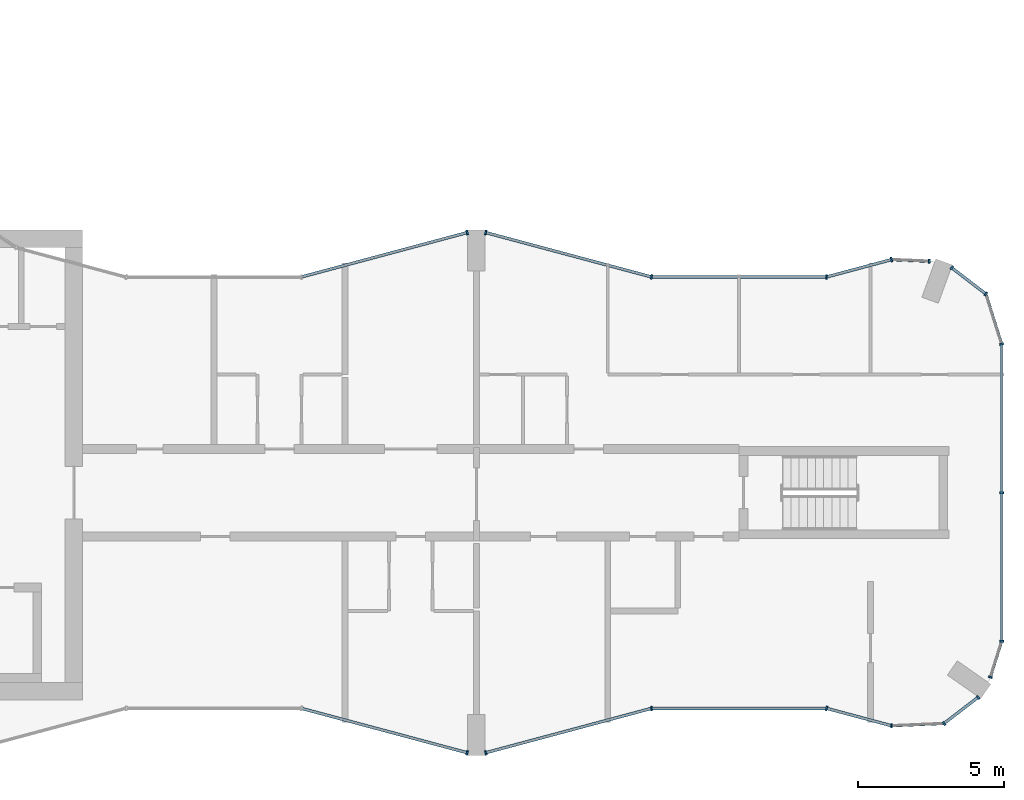
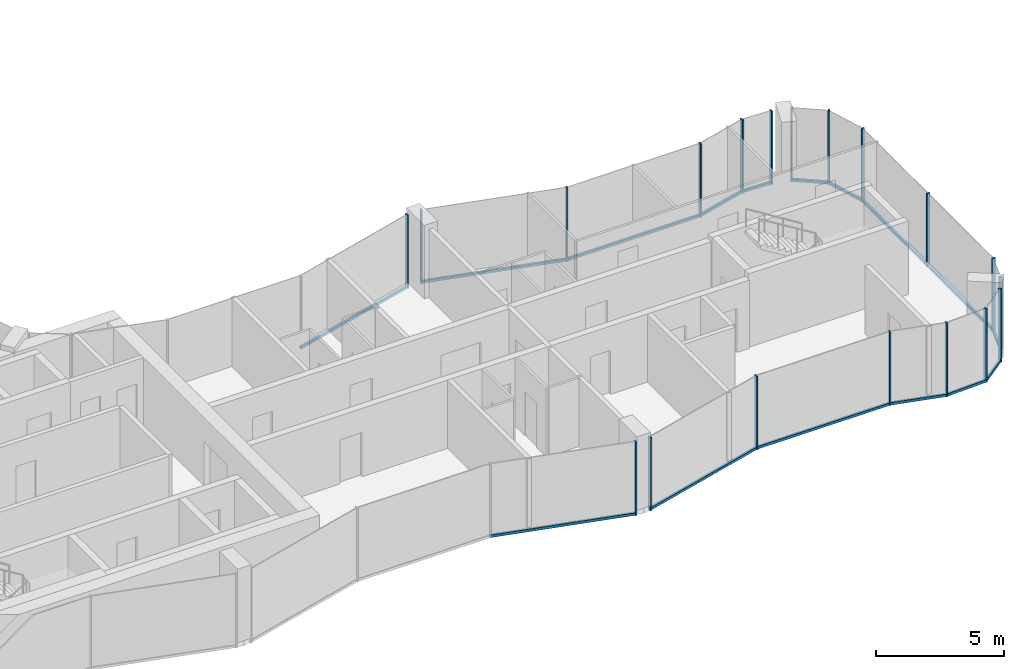
# One storey, part 6 of 15: 34 members, 15 elements without a shape of their own.
"""IFC4 building model written with IfcOpenShell, lengths in metres."""

from ifc_helpers import new_model, si_unit, direction, frame, origin, origin_2d, place, context, subcontext, project, spatial, rectangle, extrude, material, layer, layer_set, material_profile, profile_set, type_object, element, aggregate, save


model = new_model("IFC4")

# Units and contexts
model_context = context("Model", 3, precision=1e-05, world=origin(), true_north=direction((0.0, 1.0)))
body_context = subcontext(model_context, "Body", "Model", "MODEL_VIEW")
ifc_project = project(units=[si_unit("LENGTHUNIT", "METRE"), si_unit("AREAUNIT", "SQUARE_METRE"), si_unit("VOLUMEUNIT", "CUBIC_METRE"), si_unit("PLANEANGLEUNIT", "RADIAN"), si_unit("MASSUNIT", "GRAM", prefix="KILO")], contexts=[model_context])

# Site, building, storey
site_placement = place(None, origin())
site = spatial("IfcSite", under=ifc_project, at=site_placement, CompositionType="ELEMENT")
building_placement = place(site_placement, origin())
building = spatial("IfcBuilding", under=site, at=building_placement, Name="Plateau Cross Towers", CompositionType="ELEMENT")
storey_placement = place(building_placement, frame((0.0, 0.0, 170.89990234375)))
storey = spatial("IfcBuildingStorey", under=building, at=storey_placement, Name="L44", CompositionType="ELEMENT", Elevation=170.89990234375)

# Curtain wall, member
ifc_material_1 = material(Name="Dark low-iron glass", Category="glass")
ifc_layer_1 = layer(ifc_material_1, 0.239990234375)
ifc_layer_set_1 = layer_set([ifc_layer_1], Name="Dark low-iron glass")
curtain_wall_type_1 = type_object("IfcCurtainWallType", Name="Curtain wall flush unitised CW-B", PredefinedType="NOTDEFINED", material=ifc_layer_set_1)
curtain_wall_1_placement = place(storey_placement, origin())
curtain_wall_1 = element("IfcCurtainWall", 1, at=curtain_wall_1_placement, inside=storey, type_object=curtain_wall_type_1, Name="ENV/A/L44/A502_10", PredefinedType="NOTDEFINED")
ifc_material_2 = material(Name="Black anodised aluminium", Category="aluminium")
ifc_material_profile_1 = material_profile(ifc_material_2, rectangle(XDim=0.06005859375, YDim=0.139892578125, at=origin_2d()), Name="MULLION 60x140")
ifc_profile_set_1 = profile_set([ifc_material_profile_1], Name="Black anodised aluminium")
member_type_1 = type_object("IfcMemberType", Name="Mullion 60x140 flush unitised", PredefinedType="MULLION", material=ifc_profile_set_1)
member_1_placement = place(storey_placement, frame((50.223876953125, 1.01123046875, -0.25), z_axis=(0.0, 0.0, 1.0), x_axis=(0.999043701491, 0.043722791671, 0.0)))
member_1 = element("IfcMember", 2, at=member_1_placement, type_object=member_type_1, Name="CW-B mullion 1", PredefinedType="MULLION", context=body_context, shape_type="SweptSolid", body=[
    extrude(rectangle(XDim=0.06005859375, YDim=0.139892578125, at=origin_2d()), origin(), (0.0, 0.0, 1.0), 3.5),
])

# Curtain wall, members
curtain_wall_2_placement = place(storey_placement, origin())
curtain_wall_2 = element("IfcCurtainWall", 3, at=curtain_wall_2_placement, inside=storey, type_object=curtain_wall_type_1, Name="ENV/A/L44/A520_11", PredefinedType="NOTDEFINED")
member_2_placement = place(storey_placement, frame((52.0263671875, 1.090087890625, -0.25), z_axis=(0.0, 0.0, 1.0), x_axis=(0.793315514529, 0.608810721331, 0.0)))
member_2 = element("IfcMember", 4, at=member_2_placement, type_object=member_type_1, Name="CW-B mullion 1", PredefinedType="MULLION", context=body_context, shape_type="SweptSolid", body=[
    extrude(rectangle(XDim=0.06005859375, YDim=0.139892578125, at=origin_2d()), origin(), (0.0, 0.0, 1.0), 3.5),
])
member_3_placement = place(storey_placement, frame((53.193603515625, 1.986083984375, -0.25), z_axis=(0.0, 0.0, 1.0), x_axis=(0.793315514529, 0.608810721331, 0.0)))
member_3 = element("IfcMember", 5, at=member_3_placement, type_object=member_type_1, Name="CW-B mullion 2", PredefinedType="MULLION", context=body_context, shape_type="SweptSolid", body=[
    extrude(rectangle(XDim=0.06005859375, YDim=0.139892578125, at=origin_2d()), origin(), (0.0, 0.0, 1.0), 3.5),
])

# Curtain wall, member
curtain_wall_3_placement = place(storey_placement, origin())
curtain_wall_3 = element("IfcCurtainWall", 6, at=curtain_wall_3_placement, inside=storey, type_object=curtain_wall_type_1, Name="ENV/A/L44/A536_27", PredefinedType="NOTDEFINED")
member_4_placement = place(storey_placement, frame((53.611083984375, 2.67529296875, -0.25), z_axis=(0.0, 0.0, 1.0), x_axis=(0.300686174994, 0.95372313811, 0.0)))
member_4 = element("IfcMember", 7, at=member_4_placement, type_object=member_type_1, Name="CW-B mullion 1", PredefinedType="MULLION", context=body_context, shape_type="SweptSolid", body=[
    extrude(rectangle(XDim=0.06005859375, YDim=0.139892578125, at=origin_2d()), origin(), (0.0, 0.0, 1.0), 3.5),
])

# Curtain wall, members
curtain_wall_4_placement = place(storey_placement, origin())
curtain_wall_4 = element("IfcCurtainWall", 8, at=curtain_wall_4_placement, inside=storey, type_object=curtain_wall_type_1, Name="ENV/A/L44/A540_39", PredefinedType="NOTDEFINED")
member_5_placement = place(storey_placement, frame((54.0, 3.9091796875, -0.25), z_axis=(0.0, 0.0, 1.0), x_axis=(0.0, 1.0, 0.0)))
member_5 = element("IfcMember", 9, at=member_5_placement, type_object=member_type_1, Name="CW-B mullion 1", PredefinedType="MULLION", context=body_context, shape_type="SweptSolid", body=[
    extrude(rectangle(XDim=0.06005859375, YDim=0.139892578125, at=origin_2d()), origin(), (0.0, 0.0, 1.0), 3.5),
])
member_6_placement = place(storey_placement, frame((54.0, 9.0, -0.25), z_axis=(0.0, 0.0, 1.0), x_axis=(0.0, 1.0, 0.0)))
member_6 = element("IfcMember", 10, at=member_6_placement, type_object=member_type_1, Name="CW-B mullion 2", PredefinedType="MULLION", context=body_context, shape_type="SweptSolid", body=[
    extrude(rectangle(XDim=0.06005859375, YDim=0.139892578125, at=origin_2d()), origin(), (0.0, 0.0, 1.0), 3.5),
])

# Curtain wall, member
curtain_wall_5_placement = place(storey_placement, origin())
curtain_wall_5 = element("IfcCurtainWall", 11, at=curtain_wall_5_placement, inside=storey, type_object=curtain_wall_type_1, Name="ENV/A/L44/A540_141", PredefinedType="NOTDEFINED")
member_7_placement = place(storey_placement, frame((54.0, 14.0908203125, -0.25), z_axis=(0.0, 0.0, 1.0), x_axis=(-0.300686174994, 0.95372313811, 0.0)))
member_7 = element("IfcMember", 12, at=member_7_placement, type_object=member_type_1, Name="CW-B mullion 1", PredefinedType="MULLION", context=body_context, shape_type="SweptSolid", body=[
    extrude(rectangle(XDim=0.06005859375, YDim=0.139892578125, at=origin_2d()), origin(), (0.0, 0.0, 1.0), 3.5),
])

# Curtain wall, members
curtain_wall_6_placement = place(storey_placement, origin())
curtain_wall_6 = element("IfcCurtainWall", 13, at=curtain_wall_6_placement, inside=storey, type_object=curtain_wall_type_1, Name="ENV/A/L44/A535_158", PredefinedType="NOTDEFINED")
member_8_placement = place(storey_placement, frame((53.45751953125, 15.8115234375, -0.25), z_axis=(0.0, 0.0, 1.0), x_axis=(-0.793315514529, 0.608810721331, 0.0)))
member_8 = element("IfcMember", 14, at=member_8_placement, type_object=member_type_1, Name="CW-B mullion 1", PredefinedType="MULLION", context=body_context, shape_type="SweptSolid", body=[
    extrude(rectangle(XDim=0.06005859375, YDim=0.139892578125, at=origin_2d()), origin(), (0.0, 0.0, 1.0), 3.5),
])
member_9_placement = place(storey_placement, frame((52.290283203125, 16.707275390625, -0.25), z_axis=(0.0, 0.0, 1.0), x_axis=(-0.793315514529, 0.608810721331, 0.0)))
member_9 = element("IfcMember", 15, at=member_9_placement, type_object=member_type_1, Name="CW-B mullion 2", PredefinedType="MULLION", context=body_context, shape_type="SweptSolid", body=[
    extrude(rectangle(XDim=0.06005859375, YDim=0.139892578125, at=origin_2d()), origin(), (0.0, 0.0, 1.0), 3.5),
])

# Curtain wall, member
curtain_wall_7_placement = place(storey_placement, origin())
curtain_wall_7 = element("IfcCurtainWall", 16, at=curtain_wall_7_placement, inside=storey, type_object=curtain_wall_type_1, Name="ENV/A/L44/A515_169", PredefinedType="NOTDEFINED")
member_10_placement = place(storey_placement, frame((51.516357421875, 16.93212890625, -0.25), z_axis=(0.0, 0.0, 1.0), x_axis=(-0.999043701491, 0.043722791671, 0.0)))
member_10 = element("IfcMember", 17, at=member_10_placement, type_object=member_type_1, Name="CW-B mullion 1", PredefinedType="MULLION", context=body_context, shape_type="SweptSolid", body=[
    extrude(rectangle(XDim=0.06005859375, YDim=0.139892578125, at=origin_2d()), origin(), (0.0, 0.0, 1.0), 3.5),
])

ifc_layer_2 = layer(ifc_material_1, 0.260009765625)
ifc_layer_set_2 = layer_set([ifc_layer_2], Name="Dark low-iron glass")
curtain_wall_type_2 = type_object("IfcCurtainWallType", Name="Curtain wall fluted unitised CW-A", PredefinedType="NOTDEFINED", material=ifc_layer_set_2)
curtain_wall_8_placement = place(storey_placement, origin())
curtain_wall_8 = element("IfcCurtainWall", 18, at=curtain_wall_8_placement, inside=storey, type_object=curtain_wall_type_2, Name="ENV/A/L44/A300_16", PredefinedType="NOTDEFINED")
ifc_material_profile_2 = material_profile(ifc_material_2, rectangle(XDim=0.06005859375, YDim=0.159912109375, at=origin_2d()), Name="MULLION 60x160")
ifc_profile_set_2 = profile_set([ifc_material_profile_2], Name="Black anodised aluminium")
member_type_2 = type_object("IfcMemberType", Name="Mullion 60x160 fluted unitised", PredefinedType="MULLION", material=ifc_profile_set_2)
member_11_placement = place(storey_placement, frame((35.68212890625, 0.085205078125, -0.25), z_axis=(0.0, 0.0, 1.0), x_axis=(0.965957983404, -0.258699003279, 0.0)))
member_11 = element("IfcMember", 19, at=member_11_placement, type_object=member_type_2, Name="CW-A mullion 2", PredefinedType="MULLION", context=body_context, shape_type="SweptSolid", body=[
    extrude(rectangle(XDim=0.06005859375, YDim=0.159912109375, at=origin_2d()), origin(), (0.0, 0.0, 1.0), 3.5),
])

curtain_wall_9_placement = place(storey_placement, origin())
curtain_wall_9 = element("IfcCurtainWall", 20, at=curtain_wall_9_placement, inside=storey, type_object=curtain_wall_type_2, Name="ENV/A/L44/A363_1", PredefinedType="NOTDEFINED")
member_12_placement = place(storey_placement, frame((36.31787109375, 0.085205078125, -0.25), z_axis=(0.0, 0.0, 1.0), x_axis=(0.965957983404, 0.258699003279, 0.0)))
member_12 = element("IfcMember", 21, at=member_12_placement, type_object=member_type_2, Name="CW-A mullion 1", PredefinedType="MULLION", context=body_context, shape_type="SweptSolid", body=[
    extrude(rectangle(XDim=0.06005859375, YDim=0.159912109375, at=origin_2d()), origin(), (0.0, 0.0, 1.0), 3.5),
])

curtain_wall_10_placement = place(storey_placement, origin())
curtain_wall_10 = element("IfcCurtainWall", 22, at=curtain_wall_10_placement, inside=storey, type_object=curtain_wall_type_2, Name="ENV/A/L44/A420_16", PredefinedType="NOTDEFINED")
member_13_placement = place(storey_placement, frame((42.0, 1.60693359375, -0.25), z_axis=(0.0, 0.0, 1.0), x_axis=(1.0, 0.0, 0.0)))
member_13 = element("IfcMember", 23, at=member_13_placement, type_object=member_type_2, Name="CW-A mullion 1", PredefinedType="MULLION", context=body_context, shape_type="SweptSolid", body=[
    extrude(rectangle(XDim=0.06005859375, YDim=0.159912109375, at=origin_2d()), origin(), (0.0, 0.0, 1.0), 3.5),
])

curtain_wall_11_placement = place(storey_placement, origin())
curtain_wall_11 = element("IfcCurtainWall", 24, at=curtain_wall_11_placement, inside=storey, type_object=curtain_wall_type_2, Name="ENV/A/L44/A480_16", PredefinedType="NOTDEFINED")
member_14_placement = place(storey_placement, frame((48.0, 1.60693359375, -0.25), z_axis=(0.0, 0.0, 1.0), x_axis=(0.965957962328, -0.258699081978, 0.0)))
member_14 = element("IfcMember", 25, at=member_14_placement, type_object=member_type_2, Name="CW-A mullion 1", PredefinedType="MULLION", context=body_context, shape_type="SweptSolid", body=[
    extrude(rectangle(XDim=0.06005859375, YDim=0.159912109375, at=origin_2d()), origin(), (0.0, 0.0, 1.0), 3.5),
])

curtain_wall_12_placement = place(storey_placement, origin())
curtain_wall_12 = element("IfcCurtainWall", 26, at=curtain_wall_12_placement, inside=storey, type_object=curtain_wall_type_2, Name="ENV/A/L44/A502_170", PredefinedType="NOTDEFINED")
member_15_placement = place(storey_placement, frame((50.223876953125, 16.98876953125, -0.25), z_axis=(0.0, 0.0, 1.0), x_axis=(-0.965957962328, -0.258699081978, 0.0)))
member_15 = element("IfcMember", 27, at=member_15_placement, type_object=member_type_2, Name="CW-A mullion 1", PredefinedType="MULLION", context=body_context, shape_type="SweptSolid", body=[
    extrude(rectangle(XDim=0.06005859375, YDim=0.159912109375, at=origin_2d()), origin(), (0.0, 0.0, 1.0), 3.5),
])

curtain_wall_13_placement = place(storey_placement, origin())
curtain_wall_13 = element("IfcCurtainWall", 28, at=curtain_wall_13_placement, inside=storey, type_object=curtain_wall_type_2, Name="ENV/A/L44/A480_164", PredefinedType="NOTDEFINED")
member_16_placement = place(storey_placement, frame((48.0, 16.39306640625, -0.25), z_axis=(0.0, 0.0, 1.0), x_axis=(-1.0, 0.0, 0.0)))
member_16 = element("IfcMember", 29, at=member_16_placement, type_object=member_type_2, Name="CW-A mullion 1", PredefinedType="MULLION", context=body_context, shape_type="SweptSolid", body=[
    extrude(rectangle(XDim=0.06005859375, YDim=0.159912109375, at=origin_2d()), origin(), (0.0, 0.0, 1.0), 3.5),
])

# Curtain wall, members
curtain_wall_14_placement = place(storey_placement, origin())
curtain_wall_14 = element("IfcCurtainWall", 30, at=curtain_wall_14_placement, inside=storey, type_object=curtain_wall_type_2, Name="ENV/A/L44/A420_164", PredefinedType="NOTDEFINED")
member_17_placement = place(storey_placement, frame((42.0, 16.39306640625, -0.25), z_axis=(0.0, 0.0, 1.0), x_axis=(-0.965957983404, 0.258699003279, 0.0)))
member_17 = element("IfcMember", 31, at=member_17_placement, type_object=member_type_2, Name="CW-A mullion 1", PredefinedType="MULLION", context=body_context, shape_type="SweptSolid", body=[
    extrude(rectangle(XDim=0.06005859375, YDim=0.159912109375, at=origin_2d()), origin(), (0.0, 0.0, 1.0), 3.5),
])
member_18_placement = place(storey_placement, frame((36.31787109375, 17.914794921875, -0.25), z_axis=(0.0, 0.0, 1.0), x_axis=(-0.965957983404, 0.258699003279, 0.0)))
member_18 = element("IfcMember", 32, at=member_18_placement, type_object=member_type_2, Name="CW-A mullion 2", PredefinedType="MULLION", context=body_context, shape_type="SweptSolid", body=[
    extrude(rectangle(XDim=0.06005859375, YDim=0.159912109375, at=origin_2d()), origin(), (0.0, 0.0, 1.0), 3.5),
])

# Curtain wall, member
curtain_wall_15_placement = place(storey_placement, origin())
curtain_wall_15 = element("IfcCurtainWall", 33, at=curtain_wall_15_placement, inside=storey, type_object=curtain_wall_type_2, Name="ENV/A/L44/A357_179", PredefinedType="NOTDEFINED")
member_19_placement = place(storey_placement, frame((35.68212890625, 17.914794921875, -0.25), z_axis=(0.0, 0.0, 1.0), x_axis=(-0.965957983404, -0.258699003279, 0.0)))
member_19 = element("IfcMember", 34, at=member_19_placement, type_object=member_type_2, Name="CW-A mullion 1", PredefinedType="MULLION", context=body_context, shape_type="SweptSolid", body=[
    extrude(rectangle(XDim=0.06005859375, YDim=0.159912109375, at=origin_2d()), origin(), (0.0, 0.0, 1.0), 3.5),
])

# Member
ifc_material_profile_3 = material_profile(ifc_material_2, rectangle(XDim=0.10009765625, YDim=0.1201171875, at=origin_2d()), Name="TRANSOM 100x120")
ifc_profile_set_3 = profile_set([ifc_material_profile_3], Name="Black anodised aluminium")
member_type_3 = type_object("IfcMemberType", Name="Transom 100x120 flush unitised", PredefinedType="USERDEFINED", material=ifc_profile_set_3)
member_20_placement = place(storey_placement, frame((50.223876953125, 1.01123046875, -0.18994140625), z_axis=(0.999044377355, 0.043707345779, 0.0), x_axis=(-0.043707345779, 0.999044377355, 0.0)))
member_20 = element("IfcMember", 35, at=member_20_placement, type_object=member_type_3, Name="CW-B transom", ObjectType="TRANSOM", PredefinedType="USERDEFINED", context=body_context, shape_type="SweptSolid", body=[
    extrude(rectangle(XDim=0.10009765625, YDim=0.1201171875, at=origin_2d()), origin(), (0.0, 0.0, 1.0), 1.80419921875),
])

aggregate(curtain_wall_1, [member_1, member_20])

member_21_placement = place(storey_placement, frame((52.0263671875, 1.090087890625, -0.18994140625), z_axis=(0.793240368515, 0.608908628415, 0.0), x_axis=(-0.608908628415, 0.793240368515, 0.0)))
member_21 = element("IfcMember", 36, at=member_21_placement, type_object=member_type_3, Name="CW-B transom", ObjectType="TRANSOM", PredefinedType="USERDEFINED", context=body_context, shape_type="SweptSolid", body=[
    extrude(rectangle(XDim=0.10009765625, YDim=0.1201171875, at=origin_2d()), origin(), (0.0, 0.0, 1.0), 1.471435546875),
])

aggregate(curtain_wall_2, [member_2, member_3, member_21])

member_22_placement = place(storey_placement, frame((53.611083984375, 2.67529296875, -0.18994140625), z_axis=(0.300616528216, 0.953745093284, 0.0), x_axis=(-0.953745093284, 0.300616528216, 0.0)))
member_22 = element("IfcMember", 37, at=member_22_placement, type_object=member_type_3, Name="CW-B transom", ObjectType="TRANSOM", PredefinedType="USERDEFINED", context=body_context, shape_type="SweptSolid", body=[
    extrude(rectangle(XDim=0.10009765625, YDim=0.1201171875, at=origin_2d()), origin(), (0.0, 0.0, 1.0), 1.293701171875),
])

aggregate(curtain_wall_3, [member_4, member_22])

member_23_placement = place(storey_placement, frame((54.0, 3.9091796875, -0.18994140625), z_axis=(0.0, 1.0, 0.0), x_axis=(-1.0, 0.0, 0.0)))
member_23 = element("IfcMember", 38, at=member_23_placement, type_object=member_type_3, Name="CW-B transom", ObjectType="TRANSOM", PredefinedType="USERDEFINED", context=body_context, shape_type="SweptSolid", body=[
    extrude(rectangle(XDim=0.10009765625, YDim=0.1201171875, at=origin_2d()), origin(), (0.0, 0.0, 1.0), 10.181640625),
])

aggregate(curtain_wall_4, [member_5, member_6, member_23])

member_24_placement = place(storey_placement, frame((54.0, 14.0908203125, -0.18994140625), z_axis=(-0.30067799945, 0.953725715626, 0.0), x_axis=(-0.953725715626, -0.30067799945, 0.0)))
member_24 = element("IfcMember", 39, at=member_24_placement, type_object=member_type_3, Name="CW-B transom", ObjectType="TRANSOM", PredefinedType="USERDEFINED", context=body_context, shape_type="SweptSolid", body=[
    extrude(rectangle(XDim=0.10009765625, YDim=0.1201171875, at=origin_2d()), origin(), (0.0, 0.0, 1.0), 1.80419921875),
])

aggregate(curtain_wall_5, [member_7, member_24])

member_25_placement = place(storey_placement, frame((53.45751953125, 15.8115234375, -0.18994140625), z_axis=(-0.793320508571, 0.608804213751, 0.0), x_axis=(-0.608804213751, -0.793320508571, 0.0)))
member_25 = element("IfcMember", 40, at=member_25_placement, type_object=member_type_3, Name="CW-B transom", ObjectType="TRANSOM", PredefinedType="USERDEFINED", context=body_context, shape_type="SweptSolid", body=[
    extrude(rectangle(XDim=0.10009765625, YDim=0.1201171875, at=origin_2d()), origin(), (0.0, 0.0, 1.0), 1.471435546875),
])

aggregate(curtain_wall_6, [member_8, member_9, member_25])

member_26_placement = place(storey_placement, frame((51.516357421875, 16.93212890625, -0.18994140625), z_axis=(-0.999041144614, 0.043781175963, 0.0), x_axis=(-0.043781175963, -0.999041144614, 0.0)))
member_26 = element("IfcMember", 41, at=member_26_placement, type_object=member_type_3, Name="CW-B transom", ObjectType="TRANSOM", PredefinedType="USERDEFINED", context=body_context, shape_type="SweptSolid", body=[
    extrude(rectangle(XDim=0.10009765625, YDim=0.1201171875, at=origin_2d()), origin(), (0.0, 0.0, 1.0), 1.293701171875),
])

aggregate(curtain_wall_7, [member_10, member_26])

ifc_material_profile_4 = material_profile(ifc_material_2, rectangle(XDim=0.10009765625, YDim=0.1201171875, at=origin_2d()), Name="TRANSOM 100x120")
ifc_profile_set_4 = profile_set([ifc_material_profile_4], Name="Black anodised aluminium")
member_type_4 = type_object("IfcMemberType", Name="Transom 100x120 fluted unitised", PredefinedType="USERDEFINED", material=ifc_profile_set_4)
member_27_placement = place(storey_placement, frame((30.0, 1.60693359375, -0.18994140625), z_axis=(0.965959534794, -0.258693210465, 0.0), x_axis=(0.258693210465, 0.965959534794, 0.0)))
member_27 = element("IfcMember", 42, at=member_27_placement, type_object=member_type_4, Name="CW-A transom", ObjectType="TRANSOM", PredefinedType="USERDEFINED", context=body_context, shape_type="SweptSolid", body=[
    extrude(rectangle(XDim=0.10009765625, YDim=0.1201171875, at=origin_2d()), origin(), (0.0, 0.0, 1.0), 5.88232421875),
])

aggregate(curtain_wall_8, [member_11, member_27])

member_28_placement = place(storey_placement, frame((36.31787109375, 0.085205078125, -0.18994140625), z_axis=(0.965959534794, 0.258693210465, 0.0), x_axis=(-0.258693210465, 0.965959534794, 0.0)))
member_28 = element("IfcMember", 43, at=member_28_placement, type_object=member_type_4, Name="CW-A transom", ObjectType="TRANSOM", PredefinedType="USERDEFINED", context=body_context, shape_type="SweptSolid", body=[
    extrude(rectangle(XDim=0.10009765625, YDim=0.1201171875, at=origin_2d()), origin(), (0.0, 0.0, 1.0), 5.88232421875),
])

aggregate(curtain_wall_9, [member_12, member_28])

member_29_placement = place(storey_placement, frame((42.0, 1.60693359375, -0.18994140625), z_axis=(1.0, 0.0, 0.0), x_axis=(0.0, 1.0, 0.0)))
member_29 = element("IfcMember", 44, at=member_29_placement, type_object=member_type_4, Name="CW-A transom", ObjectType="TRANSOM", PredefinedType="USERDEFINED", context=body_context, shape_type="SweptSolid", body=[
    extrude(rectangle(XDim=0.10009765625, YDim=0.1201171875, at=origin_2d()), origin(), (0.0, 0.0, 1.0), 6.0),
])

aggregate(curtain_wall_10, [member_13, member_29])

member_30_placement = place(storey_placement, frame((48.0, 1.60693359375, -0.18994140625), z_axis=(0.965945685136, -0.258744919501, 0.0), x_axis=(0.258744919501, 0.965945685136, 0.0)))
member_30 = element("IfcMember", 45, at=member_30_placement, type_object=member_type_4, Name="CW-A transom", ObjectType="TRANSOM", PredefinedType="USERDEFINED", context=body_context, shape_type="SweptSolid", body=[
    extrude(rectangle(XDim=0.10009765625, YDim=0.1201171875, at=origin_2d()), origin(), (0.0, 0.0, 1.0), 2.30224609375),
])

aggregate(curtain_wall_11, [member_14, member_30])

member_31_placement = place(storey_placement, frame((50.223876953125, 16.98876953125, -0.18994140625), z_axis=(-0.965945685136, -0.258744919501, 0.0), x_axis=(0.258744919501, -0.965945685136, 0.0)))
member_31 = element("IfcMember", 46, at=member_31_placement, type_object=member_type_4, Name="CW-A transom", ObjectType="TRANSOM", PredefinedType="USERDEFINED", context=body_context, shape_type="SweptSolid", body=[
    extrude(rectangle(XDim=0.10009765625, YDim=0.1201171875, at=origin_2d()), origin(), (0.0, 0.0, 1.0), 2.30224609375),
])

aggregate(curtain_wall_12, [member_15, member_31])

member_32_placement = place(storey_placement, frame((48.0, 16.39306640625, -0.18994140625), z_axis=(-1.0, 0.0, 0.0), x_axis=(0.0, -1.0, 0.0)))
member_32 = element("IfcMember", 47, at=member_32_placement, type_object=member_type_4, Name="CW-A transom", ObjectType="TRANSOM", PredefinedType="USERDEFINED", context=body_context, shape_type="SweptSolid", body=[
    extrude(rectangle(XDim=0.10009765625, YDim=0.1201171875, at=origin_2d()), origin(), (0.0, 0.0, 1.0), 6.0),
])

aggregate(curtain_wall_13, [member_16, member_32])

member_33_placement = place(storey_placement, frame((42.0, 16.39306640625, -0.18994140625), z_axis=(-0.965959534794, 0.258693210465, 0.0), x_axis=(-0.258693210465, -0.965959534794, 0.0)))
member_33 = element("IfcMember", 48, at=member_33_placement, type_object=member_type_4, Name="CW-A transom", ObjectType="TRANSOM", PredefinedType="USERDEFINED", context=body_context, shape_type="SweptSolid", body=[
    extrude(rectangle(XDim=0.10009765625, YDim=0.1201171875, at=origin_2d()), origin(), (0.0, 0.0, 1.0), 5.88232421875),
])

aggregate(curtain_wall_14, [member_17, member_18, member_33])

member_34_placement = place(storey_placement, frame((35.68212890625, 17.914794921875, -0.18994140625), z_axis=(-0.965959534794, -0.258693210465, 0.0), x_axis=(0.258693210465, -0.965959534794, 0.0)))
member_34 = element("IfcMember", 49, at=member_34_placement, type_object=member_type_4, Name="CW-A transom", ObjectType="TRANSOM", PredefinedType="USERDEFINED", context=body_context, shape_type="SweptSolid", body=[
    extrude(rectangle(XDim=0.10009765625, YDim=0.1201171875, at=origin_2d()), origin(), (0.0, 0.0, 1.0), 5.88232421875),
])

aggregate(curtain_wall_15, [member_19, member_34])

save(model, "model.ifc")
